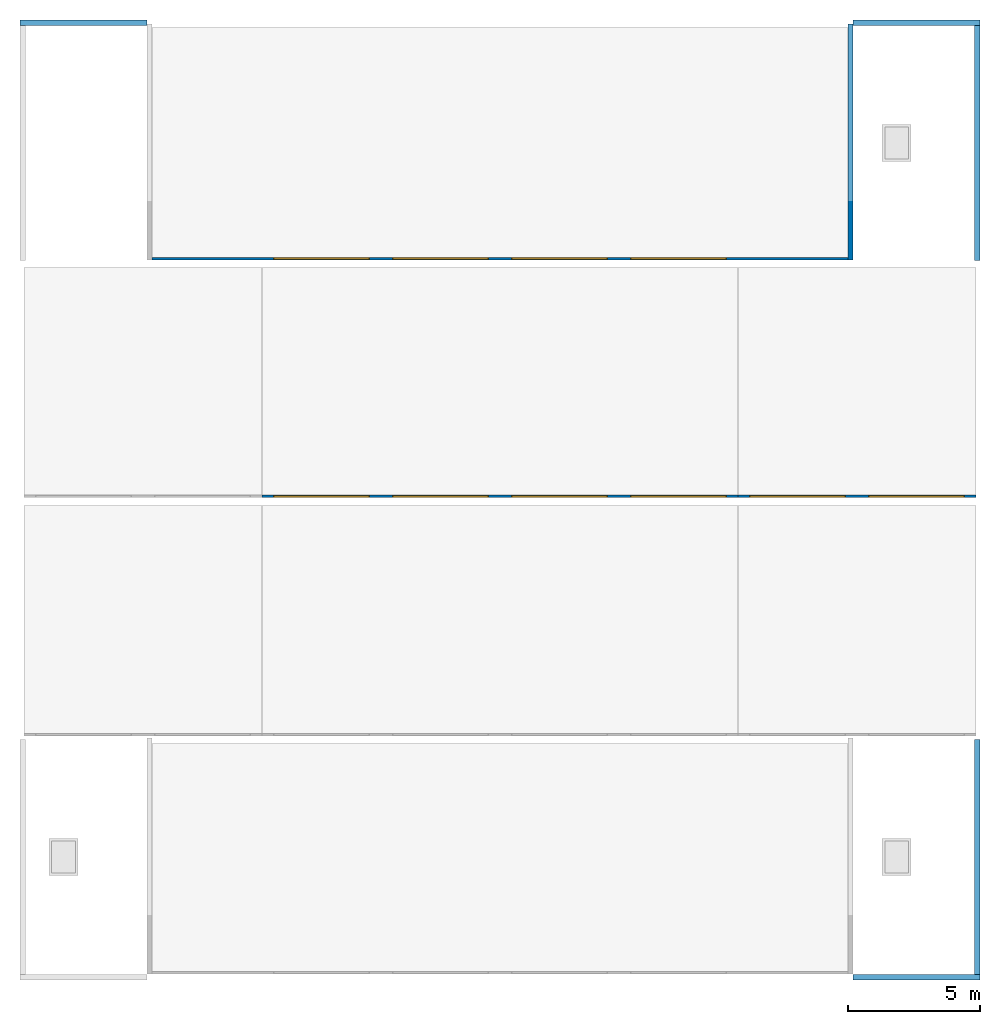
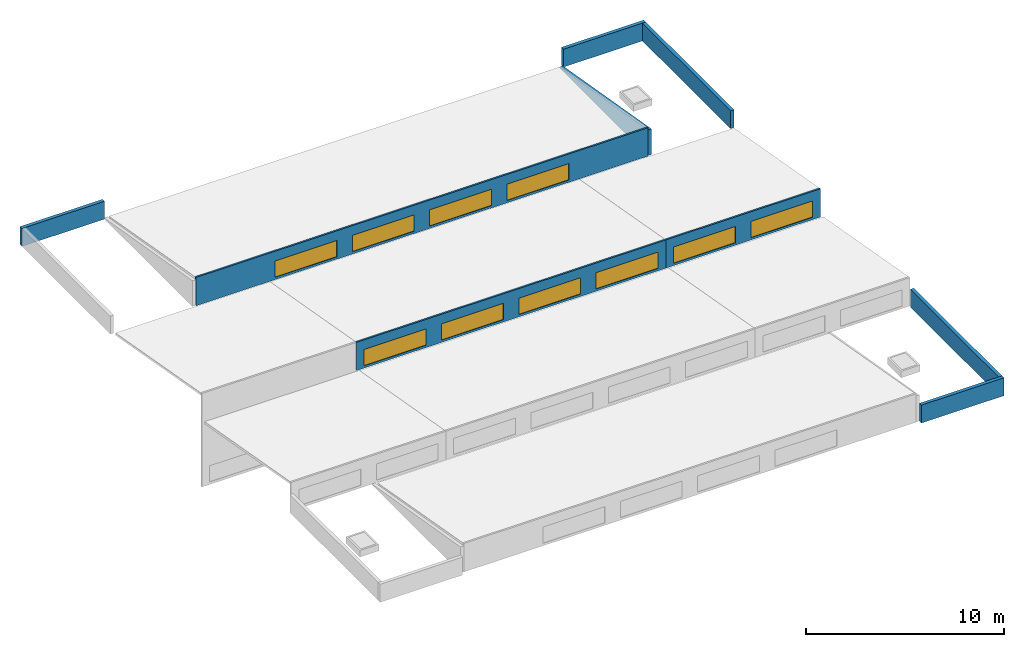
"""IFC4 building model written with IfcOpenShell, lengths in metres."""

import ifcopenshell
import ifcopenshell.guid

model = None  # the IFC model being written
_history = None  # IfcOwnerHistory: only IFC2X3 demands one
_inside = {}  # id of a spatial element -> (the spatial element, [elements in it])
_under = {}  # id of a project, library or spatial element -> (it, [spatial elements below it])
_declared = {}  # id of a project -> (the project, [libraries it declares])
_typed = {}  # id of a type object -> (the type object, [elements of that type])
_made_of = {}  # id of a material, layer set ... -> (it, [elements and type objects made of it])


def new_model(schema):
    """Start an empty IFC model of exactly this schema.

    Asked for "IFC4X3", IfcOpenShell would pick the latest addendum, in which some entities
    have other attributes; the version numbers below select the first issue.
    IFC2X3 requires an IfcOwnerHistory on every rooted entity: one is made here for all.
    """
    global model, _history
    if schema == "IFC4X3":
        model = ifcopenshell.file(schema_version=(4, 3, 0, 0))
    else:
        model = ifcopenshell.file(schema=schema)
    _inside.clear()
    _under.clear()
    _declared.clear()
    _typed.clear()
    _made_of.clear()
    _history = None
    if model.schema == "IFC2X3":
        org = make("IfcOrganization", Name="unknown")
        user = make(
            "IfcPersonAndOrganization",
            ThePerson=make("IfcPerson", FamilyName="unknown"),
            TheOrganization=org,
        )
        app = make(
            "IfcApplication",
            ApplicationDeveloper=org,
            Version="unknown",
            ApplicationFullName="unknown",
            ApplicationIdentifier="unknown",
        )
        _history = make(
            "IfcOwnerHistory",
            OwningUser=user,
            OwningApplication=app,
            ChangeAction="ADDED",
            CreationDate=0,
        )
    return model


def make(cls, **values):
    """One entity of the class cls with the attributes given. An attribute that is None is left unset."""
    return model.create_entity(
        cls, **{name: value for name, value in values.items() if value is not None}
    )


def rooted(cls, **values):
    """An entity with a GlobalId (a new one), such as an element, a storey or a relation."""
    return make(cls, GlobalId=ifcopenshell.guid.new(), OwnerHistory=_history, **values)


def si_unit(unit_type, name, prefix=None):
    """IfcSIUnit, for example si_unit("LENGTHUNIT", "METRE", prefix="MILLI")."""
    return make("IfcSIUnit", UnitType=unit_type, Prefix=prefix, Name=name)


def assignment(units):
    """IfcUnitAssignment: the units of a project."""
    return None if units is None else make("IfcUnitAssignment", Units=units)


def point(xyz):
    """IfcCartesianPoint."""
    return None if xyz is None else make("IfcCartesianPoint", Coordinates=xyz)


def direction(xyz):
    """IfcDirection."""
    return None if xyz is None else make("IfcDirection", DirectionRatios=xyz)


def frame(location, z_axis=None, x_axis=None):
    """IfcAxis2Placement3D, a coordinate frame: its origin and axes. An axis left out is left unset."""
    return make(
        "IfcAxis2Placement3D",
        Location=point(location),
        Axis=direction(z_axis),
        RefDirection=direction(x_axis),
    )


def frame_2d(location, x_axis=None):
    """IfcAxis2Placement2D, a coordinate frame in the plane: its origin and x axis."""
    return make(
        "IfcAxis2Placement2D", Location=point(location), RefDirection=direction(x_axis)
    )


def origin():
    """The frame at (0, 0, 0) with its axes left unset."""
    return frame((0.0, 0.0, 0.0))


def place(relative_to, where):
    """IfcLocalPlacement: puts the frame where relative to a parent placement (None: the world)."""
    return make(
        "IfcLocalPlacement", PlacementRelTo=relative_to, RelativePlacement=where
    )


def context(
    kind, dimensions, precision=None, world=None, true_north=None, identifier=None
):
    """IfcGeometricRepresentationContext, for example the 3D "Model" context."""
    return make(
        "IfcGeometricRepresentationContext",
        ContextIdentifier=identifier,
        ContextType=kind,
        CoordinateSpaceDimension=dimensions,
        Precision=precision,
        WorldCoordinateSystem=world,
        TrueNorth=true_north,
    )


def subcontext(parent, identifier, kind, view, scale=None):
    """IfcGeometricRepresentationSubContext, for example "Body" below "Model"."""
    return make(
        "IfcGeometricRepresentationSubContext",
        ContextIdentifier=identifier,
        ContextType=kind,
        ParentContext=parent,
        TargetScale=scale,
        TargetView=view,
    )


def project(units=None, contexts=None):
    """IfcProject with its units and contexts."""
    return rooted(
        "IfcProject",
        Name="project",
        RepresentationContexts=contexts,
        UnitsInContext=assignment(units),
    )


def spatial(cls, under=None, at=None, **own):
    """A site, building, storey or space (cls), placed at a placement, below another one or the project."""
    s = rooted(cls, ObjectPlacement=at, **own)
    if under is not None:
        _under.setdefault(under.id(), (under, []))[1].append(s)
    return s


def polyline(points):
    """IfcPolyline through the points."""
    return make("IfcPolyline", Points=[point(p) for p in points])


def profile(cls, at=None, kind="AREA", **sizes):
    """A parametric profile (cls). Its sizes go by their IFC names, for example OverallWidth=200.0."""
    return make(cls, ProfileType=kind, Position=at, **sizes)


def rectangle(**sizes):
    """IfcRectangleProfileDef."""
    return profile("IfcRectangleProfileDef", **sizes)


def outline(outer, holes=None, kind="AREA"):
    """IfcArbitraryClosedProfileDef: a profile drawn as a closed curve; with holes, ...WithVoids."""
    if holes is None:
        return make("IfcArbitraryClosedProfileDef", ProfileType=kind, OuterCurve=outer)
    return make(
        "IfcArbitraryProfileDefWithVoids",
        ProfileType=kind,
        OuterCurve=outer,
        InnerCurves=holes,
    )


def extrude(swept, where, along, depth):
    """IfcExtrudedAreaSolid: the profile swept, set in the frame where, extruded along a direction by depth."""
    return make(
        "IfcExtrudedAreaSolid",
        SweptArea=swept,
        Position=where,
        ExtrudedDirection=direction(along),
        Depth=depth,
    )


def shape(context_of_items, identifier, shape_type, items):
    """IfcShapeRepresentation: the items that make up one representation, for example the "Body"."""
    return make(
        "IfcShapeRepresentation",
        ContextOfItems=context_of_items,
        RepresentationIdentifier=identifier,
        RepresentationType=shape_type,
        Items=items,
    )


def material(Name=None, Category=None):
    """IfcMaterial."""
    return make("IfcMaterial", Name=Name, Category=Category)


def layer(
    of_material, thickness, ventilated=None, Name=None, Category=None, Priority=None
):
    """IfcMaterialLayer: one layer of a wall or slab, of a material (None: an air gap)."""
    return make(
        "IfcMaterialLayer",
        Material=of_material,
        LayerThickness=thickness,
        IsVentilated=ventilated,
        Name=Name,
        Category=Category,
        Priority=Priority,
    )


def layer_set(layers, Name=None):
    """IfcMaterialLayerSet."""
    return make("IfcMaterialLayerSet", MaterialLayers=layers, LayerSetName=Name)


def made_of(thing, what):
    """Note that an element or type object is made of a material, layer set ...; save() writes the relation."""
    if what is not None:
        _made_of.setdefault(what.id(), (what, []))[1].append(thing)
    return thing


def type_object(cls, material=None, **own):
    """A type object (cls), such as IfcWallType, which elements share."""
    return made_of(rooted(cls, **own), material)


def element(
    cls,
    number,
    at=None,
    inside=None,
    cuts=None,
    type_object=None,
    material=None,
    context=None,
    identifier="Body",
    shape_type=None,
    held_by="IfcProductDefinitionShape",
    body=None,
    shapes=None,
    **own,
):
    """One element of the class cls, such as IfcWall. Its Tag is "e" and its number.

    at: its placement. inside: the storey or other place that contains it. cuts: it is an
    opening in that element (IfcRelVoidsElement). A single representation is given by context,
    identifier, shape_type and body (its items); several are given by shapes. held_by: the class
    of the entity that holds the representations. save() writes the other relations.
    """
    e = rooted(cls, Tag="e%d" % number, ObjectPlacement=at, **own)
    if body is not None:
        shapes = [shape(context, identifier, shape_type, body)]
    if shapes is not None:
        e.Representation = make(held_by, Representations=shapes)
    if inside is not None:
        _inside.setdefault(inside.id(), (inside, []))[1].append(e)
    if cuts is not None:
        rooted(
            "IfcRelVoidsElement", RelatingBuildingElement=cuts, RelatedOpeningElement=e
        )
    if type_object is not None:
        _typed.setdefault(type_object.id(), (type_object, []))[1].append(e)
    return made_of(e, material)


def fill(opening, filler):
    """IfcRelFillsElement: the door or window that sits in an opening."""
    return rooted(
        "IfcRelFillsElement",
        RelatingOpeningElement=opening,
        RelatedBuildingElement=filler,
    )


def aggregate(whole, parts):
    """IfcRelAggregates: a whole, such as a stair, and the parts it consists of."""
    return rooted("IfcRelAggregates", RelatingObject=whole, RelatedObjects=parts)


def save(model, path):
    """Write the relations noted so far, then the file.

    IfcRelAggregates (storeys below a building ...), IfcRelContainedInSpatialStructure (elements
    in a storey), IfcRelDefinesByType, IfcRelAssociatesMaterial and IfcRelDeclares: one each for
    every whole, place, type object, material and project.
    """
    for whole, parts in _under.values():
        aggregate(whole, parts)
    for where, things in _inside.values():
        rooted(
            "IfcRelContainedInSpatialStructure",
            RelatedElements=things,
            RelatingStructure=where,
        )
    for kind, things in _typed.values():
        rooted("IfcRelDefinesByType", RelatedObjects=things, RelatingType=kind)
    for what, things in _made_of.values():
        rooted("IfcRelAssociatesMaterial", RelatedObjects=things, RelatingMaterial=what)
    for by, libraries in _declared.values():
        rooted("IfcRelDeclares", RelatingContext=by, RelatedDefinitions=libraries)
    model.write(path)


model = new_model("IFC4")

# Units and contexts
model_context = context("Model", 3, precision=1e-05, world=origin(), true_north=direction((0.0, 1.0)))
body_context = subcontext(model_context, "Body", "Model", "MODEL_VIEW")
ifc_project = project(units=[si_unit("LENGTHUNIT", "METRE"), si_unit("AREAUNIT", "SQUARE_METRE"), si_unit("VOLUMEUNIT", "CUBIC_METRE"), si_unit("PLANEANGLEUNIT", "RADIAN"), si_unit("MASSUNIT", "GRAM", prefix="KILO")], contexts=[model_context])

# Site, building, storey
site_placement = place(None, origin())
site = spatial("IfcSite", under=ifc_project, at=site_placement, CompositionType="ELEMENT")
building_placement = place(site_placement, origin())
building = spatial("IfcBuilding", under=site, at=building_placement, Name="Halyard Row Museum", CompositionType="ELEMENT")
storey_1_placement = place(building_placement, frame((0.0, 0.0, 25.199951171875)))
storey_1 = spatial("IfcBuildingStorey", under=building, at=storey_1_placement, Name="ROOF", CompositionType="ELEMENT", Elevation=25.199951171875)

# Walls
ifc_material_1 = material(Name="Standing-seam roofing on insulated timber deck", Category="wood")
ifc_layer_1 = layer(ifc_material_1, 0.199951171875)
ifc_layer_set_1 = layer_set([ifc_layer_1], Name="Standing-seam roofing on insulated timber deck")
wall_type_1 = type_object("IfcWallType", Name="Roof parapet 200 timber-clad 1100", PredefinedType="PARAPET", material=ifc_layer_set_1)
wall_1_placement = place(storey_1_placement, frame((103.35009765625, -0.050048828125, -0.121826171875), z_axis=(0.0, 0.0, 1.0), x_axis=(1.0, 0.0, 0.0)))
element("IfcWall", 1, at=wall_1_placement, inside=storey_1, type_object=wall_type_1, Name="Wall PAC-10", PredefinedType="PARAPET", context=body_context, shape_type="SweptSolid", body=[
    extrude(rectangle(XDim=4.7998046875, YDim=0.199951171875, at=frame_2d((2.39990234375, 0.0))), origin(), (0.0, 0.0, 1.0), 1.10009765625),
])
wall_2_placement = place(storey_1_placement, frame((108.050048828125, 0.050048828125, -0.121826171875), z_axis=(0.0, 0.0, 1.0), x_axis=(0.0, 1.0, 0.0)))
element("IfcWall", 2, at=wall_2_placement, inside=storey_1, type_object=wall_type_1, Name="Wall PAC-11", PredefinedType="PARAPET", context=body_context, shape_type="SweptSolid", body=[
    extrude(rectangle(XDim=8.89990234375, YDim=0.199951171875, at=frame_2d((4.449951171875, 0.0))), origin(), (0.0, 0.0, 1.0), 1.10009765625),
])
wall_3_placement = place(storey_1_placement, frame((103.35009765625, 36.050048828125, -0.121826171875), z_axis=(0.0, 0.0, 1.0), x_axis=(1.0, 0.0, 0.0)))
element("IfcWall", 3, at=wall_3_placement, inside=storey_1, type_object=wall_type_1, Name="Wall PAC-12", PredefinedType="PARAPET", context=body_context, shape_type="SweptSolid", body=[
    extrude(rectangle(XDim=4.7998046875, YDim=0.199951171875, at=frame_2d((2.39990234375, 0.0))), origin(), (0.0, 0.0, 1.0), 1.10009765625),
])
wall_4_placement = place(storey_1_placement, frame((108.050048828125, 27.050048828125, -0.121826171875), z_axis=(0.0, 0.0, 1.0), x_axis=(0.0, 1.0, 0.0)))
element("IfcWall", 4, at=wall_4_placement, inside=storey_1, type_object=wall_type_1, Name="Wall PAC-13", PredefinedType="PARAPET", context=body_context, shape_type="SweptSolid", body=[
    extrude(rectangle(XDim=8.89990234375, YDim=0.199951171875, at=frame_2d((4.449951171875, 0.0))), origin(), (0.0, 0.0, 1.0), 1.10009765625),
])
wall_5_placement = place(storey_1_placement, frame((71.85009765625, 36.050048828125, -0.121826171875), z_axis=(0.0, 0.0, 1.0), x_axis=(1.0, 0.0, 0.0)))
element("IfcWall", 5, at=wall_5_placement, inside=storey_1, type_object=wall_type_1, Name="Wall PAC-14", PredefinedType="PARAPET", context=body_context, shape_type="SweptSolid", body=[
    extrude(rectangle(XDim=4.7998046875, YDim=0.199951171875, at=frame_2d((2.39990234375, 0.0))), origin(), (0.0, 0.0, 1.0), 1.10009765625),
])
ifc_material_2 = material(Name="Insulated steel-stud upstand with aluminium cladding", Category="steel")
ifc_layer_2 = layer(ifc_material_2, 0.199951171875)
ifc_layer_set_2 = layer_set([ifc_layer_2], Name="Insulated steel-stud upstand with aluminium cladding")
wall_type_2 = type_object("IfcWallType", Name="Roof verge wall 200", PredefinedType="SOLIDWALL", material=ifc_layer_set_2)
wall_6_placement = place(storey_1_placement, frame((103.25, 27.074462890625, -0.121826171875), z_axis=(0.0, 0.0, 1.0), x_axis=(0.0, 1.0, 0.0)))
element("IfcWall", 6, at=wall_6_placement, inside=storey_1, type_object=wall_type_2, Name="Wall RV04", PredefinedType="SOLIDWALL", context=body_context, shape_type="SweptSolid", body=[
    extrude(outline(polyline([(0.0, 0.0), (8.925537109375, 0.0), (8.925537109375, 0.050048828125), (0.0, 1.586669921875), (0.0, 0.0)])), frame((0.0, 0.10009765625, 0.0), z_axis=(0.0, -1.0, 0.0), x_axis=(1.0, 0.0, 0.0)), (0.0, 0.0, 1.0), 0.199951171875),
])

# Wall, openings
ifc_material_3 = material(Name="Insulated steel-stud upstand with aluminium cladding", Category="steel")
ifc_layer_3 = layer(ifc_material_3, 0.10009765625)
ifc_layer_set_3 = layer_set([ifc_layer_3], Name="Insulated steel-stud upstand with aluminium cladding")
wall_type_3 = type_object("IfcWallType", Name="Rooflight upstand wall 100", PredefinedType="SOLIDWALL", material=ifc_layer_set_3)
wall_7_placement = place(storey_1_placement, frame((81.0, 18.138916015625, -0.139892578125), z_axis=(0.0, 0.0, 1.0), x_axis=(1.0, 0.0, 0.0)))
wall_7 = element("IfcWall", 7, at=wall_7_placement, inside=storey_1, type_object=wall_type_3, Name="Wall UWV2-T3b", PredefinedType="SOLIDWALL", context=body_context, shape_type="SweptSolid", body=[
    extrude(rectangle(XDim=18.0, YDim=0.10009765625, at=frame_2d((9.0, 0.0))), origin(), (0.0, 0.0, 1.0), 1.739990234375),
])
opening_1_placement = place(wall_7_placement, frame((0.449951171875, 0.0, 0.14990234375)))
opening_1 = element("IfcOpeningElement", 8, at=opening_1_placement, cuts=wall_7, Name="Opening RLV2-T3b-01", PredefinedType="OPENING", context=body_context, shape_type="SweptSolid", body=[
    extrude(rectangle(XDim=3.60009765625, YDim=1.0, at=frame_2d((1.800048828125, 0.5))), frame((0.0, 0.06005859375, 0.0), z_axis=(0.0, -1.0, 0.0), x_axis=(1.0, 0.0, 0.0)), (0.0, 0.0, 1.0), 0.1201171875),
])
opening_2_placement = place(wall_7_placement, frame((4.949951171875, 0.0, 0.14990234375)))
opening_2 = element("IfcOpeningElement", 9, at=opening_2_placement, cuts=wall_7, Name="Opening RLV2-T3b-02", PredefinedType="OPENING", context=body_context, shape_type="SweptSolid", body=[
    extrude(rectangle(XDim=3.60009765625, YDim=1.0, at=frame_2d((1.800048828125, 0.5))), frame((0.0, 0.06005859375, 0.0), z_axis=(0.0, -1.0, 0.0), x_axis=(1.0, 0.0, 0.0)), (0.0, 0.0, 1.0), 0.1201171875),
])
opening_3_placement = place(wall_7_placement, frame((9.449951171875, 0.0, 0.14990234375)))
opening_3 = element("IfcOpeningElement", 10, at=opening_3_placement, cuts=wall_7, Name="Opening RLV2-T3b-03", PredefinedType="OPENING", context=body_context, shape_type="SweptSolid", body=[
    extrude(rectangle(XDim=3.60009765625, YDim=1.0, at=frame_2d((1.800048828125, 0.5))), frame((0.0, 0.06005859375, 0.0), z_axis=(0.0, -1.0, 0.0), x_axis=(1.0, 0.0, 0.0)), (0.0, 0.0, 1.0), 0.1201171875),
])
opening_4_placement = place(wall_7_placement, frame((13.949951171875, 0.0, 0.14990234375)))
opening_4 = element("IfcOpeningElement", 11, at=opening_4_placement, cuts=wall_7, Name="Opening RLV2-T3b-04", PredefinedType="OPENING", context=body_context, shape_type="SweptSolid", body=[
    extrude(rectangle(XDim=3.60009765625, YDim=1.0, at=frame_2d((1.800048828125, 0.5))), frame((0.0, 0.06005859375, 0.0), z_axis=(0.0, -1.0, 0.0), x_axis=(1.0, 0.0, 0.0)), (0.0, 0.0, 1.0), 0.1201171875),
])

# Storey
storey_2_placement = place(building_placement, frame((0.0, 0.0, 21.199951171875)))
storey_2 = spatial("IfcBuildingStorey", under=building, at=storey_2_placement, Name="L04", CompositionType="ELEMENT", Elevation=21.199951171875)

# Window
ifc_material_4 = material(Name="Double glazed unit, low-emissivity", Category="glass")
window_type = type_object("IfcWindowType", Name="Rooflight 3600 x 1000 riser", PartitioningType="SINGLE_PANEL", PredefinedType="SKYLIGHT", material=ifc_material_4)
window_1_placement = place(opening_1_placement, origin())
window_1 = element("IfcWindow", 12, at=window_1_placement, inside=storey_2, type_object=window_type, Name="Rooflight", OverallHeight=1.0, OverallWidth=3.60009765625, PartitioningType="SINGLE_PANEL", PredefinedType="SKYLIGHT", context=body_context, shape_type="SweptSolid", body=[
    extrude(rectangle(XDim=3.60009765625, YDim=1.0, at=frame_2d((1.800048828125, 0.5))), frame((0.0, 0.030029296875, 0.0), z_axis=(0.0, -1.0, 0.0), x_axis=(1.0, 0.0, 0.0)), (0.0, 0.0, 1.0), 0.06005859375),
])

fill(opening_1, window_1)

window_2_placement = place(opening_2_placement, origin())
window_2 = element("IfcWindow", 13, at=window_2_placement, inside=storey_2, type_object=window_type, Name="Rooflight", OverallHeight=1.0, OverallWidth=3.60009765625, PartitioningType="SINGLE_PANEL", PredefinedType="SKYLIGHT", context=body_context, shape_type="SweptSolid", body=[
    extrude(rectangle(XDim=3.60009765625, YDim=1.0, at=frame_2d((1.800048828125, 0.5))), frame((0.0, 0.030029296875, 0.0), z_axis=(0.0, -1.0, 0.0), x_axis=(1.0, 0.0, 0.0)), (0.0, 0.0, 1.0), 0.06005859375),
])

fill(opening_2, window_2)

window_3_placement = place(opening_3_placement, origin())
window_3 = element("IfcWindow", 14, at=window_3_placement, inside=storey_2, type_object=window_type, Name="Rooflight", OverallHeight=1.0, OverallWidth=3.60009765625, PartitioningType="SINGLE_PANEL", PredefinedType="SKYLIGHT", context=body_context, shape_type="SweptSolid", body=[
    extrude(rectangle(XDim=3.60009765625, YDim=1.0, at=frame_2d((1.800048828125, 0.5))), frame((0.0, 0.030029296875, 0.0), z_axis=(0.0, -1.0, 0.0), x_axis=(1.0, 0.0, 0.0)), (0.0, 0.0, 1.0), 0.06005859375),
])

fill(opening_3, window_3)

window_4_placement = place(opening_4_placement, origin())
window_4 = element("IfcWindow", 15, at=window_4_placement, inside=storey_2, type_object=window_type, Name="Rooflight", OverallHeight=1.0, OverallWidth=3.60009765625, PartitioningType="SINGLE_PANEL", PredefinedType="SKYLIGHT", context=body_context, shape_type="SweptSolid", body=[
    extrude(rectangle(XDim=3.60009765625, YDim=1.0, at=frame_2d((1.800048828125, 0.5))), frame((0.0, 0.030029296875, 0.0), z_axis=(0.0, -1.0, 0.0), x_axis=(1.0, 0.0, 0.0)), (0.0, 0.0, 1.0), 0.06005859375),
])

fill(opening_4, window_4)

# Wall, openings, windows
wall_8_placement = place(storey_1_placement, frame((99.0, 18.138916015625, -0.139892578125), z_axis=(0.0, 0.0, 1.0), x_axis=(1.0, 0.0, 0.0)))
wall_8 = element("IfcWall", 16, at=wall_8_placement, inside=storey_1, type_object=wall_type_3, Name="Wall UWV2-T3c", PredefinedType="SOLIDWALL", context=body_context, shape_type="SweptSolid", body=[
    extrude(rectangle(XDim=9.0, YDim=0.10009765625, at=frame_2d((4.5, 0.0))), origin(), (0.0, 0.0, 1.0), 1.739990234375),
])
opening_5_placement = place(wall_8_placement, frame((0.449951171875, 0.0, 0.14990234375)))
opening_5 = element("IfcOpeningElement", 17, at=opening_5_placement, cuts=wall_8, Name="Opening RLV2-T3c-01", PredefinedType="OPENING", context=body_context, shape_type="SweptSolid", body=[
    extrude(rectangle(XDim=3.60009765625, YDim=1.0, at=frame_2d((1.800048828125, 0.5))), frame((0.0, 0.06005859375, 0.0), z_axis=(0.0, -1.0, 0.0), x_axis=(1.0, 0.0, 0.0)), (0.0, 0.0, 1.0), 0.1201171875),
])
opening_6_placement = place(wall_8_placement, frame((4.949951171875, 0.0, 0.14990234375)))
opening_6 = element("IfcOpeningElement", 18, at=opening_6_placement, cuts=wall_8, Name="Opening RLV2-T3c-02", PredefinedType="OPENING", context=body_context, shape_type="SweptSolid", body=[
    extrude(rectangle(XDim=3.60009765625, YDim=1.0, at=frame_2d((1.800048828125, 0.5))), frame((0.0, 0.06005859375, 0.0), z_axis=(0.0, -1.0, 0.0), x_axis=(1.0, 0.0, 0.0)), (0.0, 0.0, 1.0), 0.1201171875),
])
window_5_placement = place(opening_5_placement, origin())
window_5 = element("IfcWindow", 19, at=window_5_placement, inside=storey_2, type_object=window_type, Name="Rooflight", OverallHeight=1.0, OverallWidth=3.60009765625, PartitioningType="SINGLE_PANEL", PredefinedType="SKYLIGHT", context=body_context, shape_type="SweptSolid", body=[
    extrude(rectangle(XDim=3.60009765625, YDim=1.0, at=frame_2d((1.800048828125, 0.5))), frame((0.0, 0.030029296875, 0.0), z_axis=(0.0, -1.0, 0.0), x_axis=(1.0, 0.0, 0.0)), (0.0, 0.0, 1.0), 0.06005859375),
])
fill(opening_5, window_5)
window_6_placement = place(opening_6_placement, origin())
window_6 = element("IfcWindow", 20, at=window_6_placement, inside=storey_2, type_object=window_type, Name="Rooflight", OverallHeight=1.0, OverallWidth=3.60009765625, PartitioningType="SINGLE_PANEL", PredefinedType="SKYLIGHT", context=body_context, shape_type="SweptSolid", body=[
    extrude(rectangle(XDim=3.60009765625, YDim=1.0, at=frame_2d((1.800048828125, 0.5))), frame((0.0, 0.030029296875, 0.0), z_axis=(0.0, -1.0, 0.0), x_axis=(1.0, 0.0, 0.0)), (0.0, 0.0, 1.0), 0.06005859375),
])
fill(opening_6, window_6)

wall_9_placement = place(storey_1_placement, frame((76.85009765625, 27.12451171875, -0.146240234375), z_axis=(0.0, 0.0, 1.0), x_axis=(1.0, 0.0, 0.0)))
wall_9 = element("IfcWall", 21, at=wall_9_placement, inside=storey_1, type_object=wall_type_3, Name="Wall UWV2-T4a", PredefinedType="SOLIDWALL", context=body_context, shape_type="SweptSolid", body=[
    extrude(rectangle(XDim=26.2998046875, YDim=0.10009765625, at=frame_2d((13.14990234375, 0.0))), origin(), (0.0, 0.0, 1.0), 1.746337890625),
])
opening_7_placement = place(wall_9_placement, frame((4.60009765625, 0.0, 0.14990234375)))
opening_7 = element("IfcOpeningElement", 22, at=opening_7_placement, cuts=wall_9, Name="Opening RLV2-T4a-01", PredefinedType="OPENING", context=body_context, shape_type="SweptSolid", body=[
    extrude(rectangle(XDim=3.60009765625, YDim=1.0, at=frame_2d((1.800048828125, 0.5))), frame((0.0, 0.06005859375, 0.0), z_axis=(0.0, -1.0, 0.0), x_axis=(1.0, 0.0, 0.0)), (0.0, 0.0, 1.0), 0.1201171875),
])
opening_8_placement = place(wall_9_placement, frame((9.10009765625, 0.0, 0.14990234375)))
opening_8 = element("IfcOpeningElement", 23, at=opening_8_placement, cuts=wall_9, Name="Opening RLV2-T4a-02", PredefinedType="OPENING", context=body_context, shape_type="SweptSolid", body=[
    extrude(rectangle(XDim=3.60009765625, YDim=1.0, at=frame_2d((1.800048828125, 0.5))), frame((0.0, 0.06005859375, 0.0), z_axis=(0.0, -1.0, 0.0), x_axis=(1.0, 0.0, 0.0)), (0.0, 0.0, 1.0), 0.1201171875),
])
opening_9_placement = place(wall_9_placement, frame((13.60009765625, 0.0, 0.14990234375)))
opening_9 = element("IfcOpeningElement", 24, at=opening_9_placement, cuts=wall_9, Name="Opening RLV2-T4a-03", PredefinedType="OPENING", context=body_context, shape_type="SweptSolid", body=[
    extrude(rectangle(XDim=3.60009765625, YDim=1.0, at=frame_2d((1.800048828125, 0.5))), frame((0.0, 0.06005859375, 0.0), z_axis=(0.0, -1.0, 0.0), x_axis=(1.0, 0.0, 0.0)), (0.0, 0.0, 1.0), 0.1201171875),
])
opening_10_placement = place(wall_9_placement, frame((18.10009765625, 0.0, 0.14990234375)))
opening_10 = element("IfcOpeningElement", 25, at=opening_10_placement, cuts=wall_9, Name="Opening RLV2-T4a-04", PredefinedType="OPENING", context=body_context, shape_type="SweptSolid", body=[
    extrude(rectangle(XDim=3.60009765625, YDim=1.0, at=frame_2d((1.800048828125, 0.5))), frame((0.0, 0.06005859375, 0.0), z_axis=(0.0, -1.0, 0.0), x_axis=(1.0, 0.0, 0.0)), (0.0, 0.0, 1.0), 0.1201171875),
])
window_7_placement = place(opening_7_placement, origin())
window_7 = element("IfcWindow", 26, at=window_7_placement, inside=storey_2, type_object=window_type, Name="Rooflight", OverallHeight=1.0, OverallWidth=3.60009765625, PartitioningType="SINGLE_PANEL", PredefinedType="SKYLIGHT", context=body_context, shape_type="SweptSolid", body=[
    extrude(rectangle(XDim=3.60009765625, YDim=1.0, at=frame_2d((1.800048828125, 0.5))), frame((0.0, 0.030029296875, 0.0), z_axis=(0.0, -1.0, 0.0), x_axis=(1.0, 0.0, 0.0)), (0.0, 0.0, 1.0), 0.06005859375),
])
fill(opening_7, window_7)
window_8_placement = place(opening_8_placement, origin())
window_8 = element("IfcWindow", 27, at=window_8_placement, inside=storey_2, type_object=window_type, Name="Rooflight", OverallHeight=1.0, OverallWidth=3.60009765625, PartitioningType="SINGLE_PANEL", PredefinedType="SKYLIGHT", context=body_context, shape_type="SweptSolid", body=[
    extrude(rectangle(XDim=3.60009765625, YDim=1.0, at=frame_2d((1.800048828125, 0.5))), frame((0.0, 0.030029296875, 0.0), z_axis=(0.0, -1.0, 0.0), x_axis=(1.0, 0.0, 0.0)), (0.0, 0.0, 1.0), 0.06005859375),
])
fill(opening_8, window_8)
window_9_placement = place(opening_9_placement, origin())
window_9 = element("IfcWindow", 28, at=window_9_placement, inside=storey_2, type_object=window_type, Name="Rooflight", OverallHeight=1.0, OverallWidth=3.60009765625, PartitioningType="SINGLE_PANEL", PredefinedType="SKYLIGHT", context=body_context, shape_type="SweptSolid", body=[
    extrude(rectangle(XDim=3.60009765625, YDim=1.0, at=frame_2d((1.800048828125, 0.5))), frame((0.0, 0.030029296875, 0.0), z_axis=(0.0, -1.0, 0.0), x_axis=(1.0, 0.0, 0.0)), (0.0, 0.0, 1.0), 0.06005859375),
])
fill(opening_9, window_9)
window_10_placement = place(opening_10_placement, origin())
window_10 = element("IfcWindow", 29, at=window_10_placement, inside=storey_2, type_object=window_type, Name="Rooflight", OverallHeight=1.0, OverallWidth=3.60009765625, PartitioningType="SINGLE_PANEL", PredefinedType="SKYLIGHT", context=body_context, shape_type="SweptSolid", body=[
    extrude(rectangle(XDim=3.60009765625, YDim=1.0, at=frame_2d((1.800048828125, 0.5))), frame((0.0, 0.030029296875, 0.0), z_axis=(0.0, -1.0, 0.0), x_axis=(1.0, 0.0, 0.0)), (0.0, 0.0, 1.0), 0.06005859375),
])
fill(opening_10, window_10)

save(model, "model.ifc")
